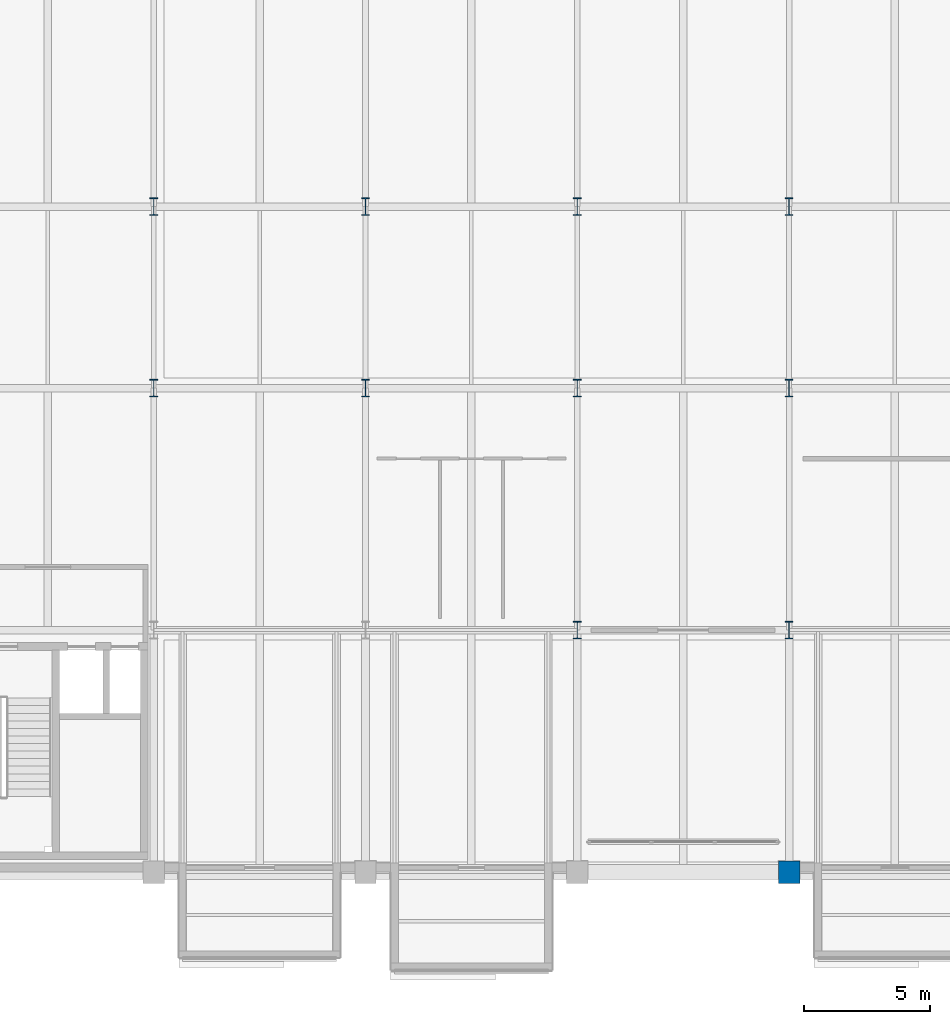
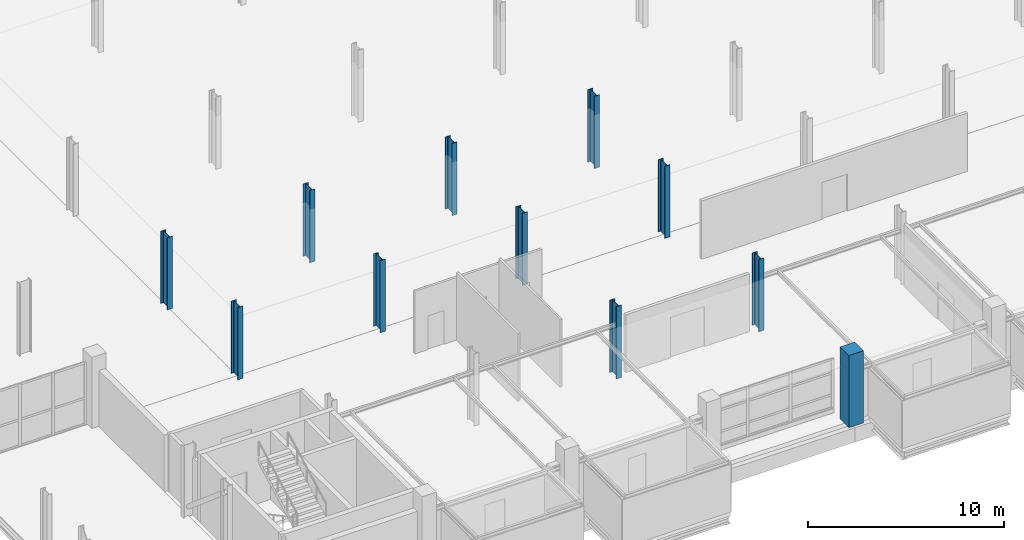
# One storey, part 2 of 113: 11 columns.
"""IFC4 building model written with IfcOpenShell, lengths in metres."""

import ifcopenshell
import ifcopenshell.guid

model = None  # the IFC model being written
_history = None  # IfcOwnerHistory: only IFC2X3 demands one
_inside = {}  # id of a spatial element -> (the spatial element, [elements in it])
_under = {}  # id of a project, library or spatial element -> (it, [spatial elements below it])
_declared = {}  # id of a project -> (the project, [libraries it declares])
_typed = {}  # id of a type object -> (the type object, [elements of that type])
_made_of = {}  # id of a material, layer set ... -> (it, [elements and type objects made of it])


def new_model(schema):
    """Start an empty IFC model of exactly this schema.

    Asked for "IFC4X3", IfcOpenShell would pick the latest addendum, in which some entities
    have other attributes; the version numbers below select the first issue.
    IFC2X3 requires an IfcOwnerHistory on every rooted entity: one is made here for all.
    """
    global model, _history
    if schema == "IFC4X3":
        model = ifcopenshell.file(schema_version=(4, 3, 0, 0))
    else:
        model = ifcopenshell.file(schema=schema)
    _inside.clear()
    _under.clear()
    _declared.clear()
    _typed.clear()
    _made_of.clear()
    _history = None
    if model.schema == "IFC2X3":
        org = make("IfcOrganization", Name="unknown")
        user = make(
            "IfcPersonAndOrganization",
            ThePerson=make("IfcPerson", FamilyName="unknown"),
            TheOrganization=org,
        )
        app = make(
            "IfcApplication",
            ApplicationDeveloper=org,
            Version="unknown",
            ApplicationFullName="unknown",
            ApplicationIdentifier="unknown",
        )
        _history = make(
            "IfcOwnerHistory",
            OwningUser=user,
            OwningApplication=app,
            ChangeAction="ADDED",
            CreationDate=0,
        )
    return model


def make(cls, **values):
    """One entity of the class cls with the attributes given. An attribute that is None is left unset."""
    return model.create_entity(
        cls, **{name: value for name, value in values.items() if value is not None}
    )


def rooted(cls, **values):
    """An entity with a GlobalId (a new one), such as an element, a storey or a relation."""
    return make(cls, GlobalId=ifcopenshell.guid.new(), OwnerHistory=_history, **values)


def si_unit(unit_type, name, prefix=None):
    """IfcSIUnit, for example si_unit("LENGTHUNIT", "METRE", prefix="MILLI")."""
    return make("IfcSIUnit", UnitType=unit_type, Prefix=prefix, Name=name)


def assignment(units):
    """IfcUnitAssignment: the units of a project."""
    return None if units is None else make("IfcUnitAssignment", Units=units)


def point(xyz):
    """IfcCartesianPoint."""
    return None if xyz is None else make("IfcCartesianPoint", Coordinates=xyz)


def direction(xyz):
    """IfcDirection."""
    return None if xyz is None else make("IfcDirection", DirectionRatios=xyz)


def frame(location, z_axis=None, x_axis=None):
    """IfcAxis2Placement3D, a coordinate frame: its origin and axes. An axis left out is left unset."""
    return make(
        "IfcAxis2Placement3D",
        Location=point(location),
        Axis=direction(z_axis),
        RefDirection=direction(x_axis),
    )


def frame_2d(location, x_axis=None):
    """IfcAxis2Placement2D, a coordinate frame in the plane: its origin and x axis."""
    return make(
        "IfcAxis2Placement2D", Location=point(location), RefDirection=direction(x_axis)
    )


def origin():
    """The frame at (0, 0, 0) with its axes left unset."""
    return frame((0.0, 0.0, 0.0))


def origin_2d():
    """The frame at (0, 0) in the plane with its x axis left unset."""
    return frame_2d((0.0, 0.0))


def place(relative_to, where):
    """IfcLocalPlacement: puts the frame where relative to a parent placement (None: the world)."""
    return make(
        "IfcLocalPlacement", PlacementRelTo=relative_to, RelativePlacement=where
    )


def context(
    kind, dimensions, precision=None, world=None, true_north=None, identifier=None
):
    """IfcGeometricRepresentationContext, for example the 3D "Model" context."""
    return make(
        "IfcGeometricRepresentationContext",
        ContextIdentifier=identifier,
        ContextType=kind,
        CoordinateSpaceDimension=dimensions,
        Precision=precision,
        WorldCoordinateSystem=world,
        TrueNorth=true_north,
    )


def subcontext(parent, identifier, kind, view, scale=None):
    """IfcGeometricRepresentationSubContext, for example "Body" below "Model"."""
    return make(
        "IfcGeometricRepresentationSubContext",
        ContextIdentifier=identifier,
        ContextType=kind,
        ParentContext=parent,
        TargetScale=scale,
        TargetView=view,
    )


def project(units=None, contexts=None):
    """IfcProject with its units and contexts."""
    return rooted(
        "IfcProject",
        Name="project",
        RepresentationContexts=contexts,
        UnitsInContext=assignment(units),
    )


def spatial(cls, under=None, at=None, **own):
    """A site, building, storey or space (cls), placed at a placement, below another one or the project."""
    s = rooted(cls, ObjectPlacement=at, **own)
    if under is not None:
        _under.setdefault(under.id(), (under, []))[1].append(s)
    return s


def profile(cls, at=None, kind="AREA", **sizes):
    """A parametric profile (cls). Its sizes go by their IFC names, for example OverallWidth=200.0."""
    return make(cls, ProfileType=kind, Position=at, **sizes)


def rectangle(**sizes):
    """IfcRectangleProfileDef."""
    return profile("IfcRectangleProfileDef", **sizes)


def i_section(**sizes):
    """IfcIShapeProfileDef."""
    return profile("IfcIShapeProfileDef", **sizes)


def extrude(swept, where, along, depth):
    """IfcExtrudedAreaSolid: the profile swept, set in the frame where, extruded along a direction by depth."""
    return make(
        "IfcExtrudedAreaSolid",
        SweptArea=swept,
        Position=where,
        ExtrudedDirection=direction(along),
        Depth=depth,
    )


def shape(context_of_items, identifier, shape_type, items):
    """IfcShapeRepresentation: the items that make up one representation, for example the "Body"."""
    return make(
        "IfcShapeRepresentation",
        ContextOfItems=context_of_items,
        RepresentationIdentifier=identifier,
        RepresentationType=shape_type,
        Items=items,
    )


def material(Name=None, Category=None):
    """IfcMaterial."""
    return make("IfcMaterial", Name=Name, Category=Category)


def material_profile(
    of_material, cross_section, Name=None, Category=None, Priority=None
):
    """IfcMaterialProfile: a cross section and its material."""
    return make(
        "IfcMaterialProfile",
        Name=Name,
        Material=of_material,
        Profile=cross_section,
        Priority=Priority,
        Category=Category,
    )


def profile_set(profiles, Name=None, composite=None):
    """IfcMaterialProfileSet."""
    return make(
        "IfcMaterialProfileSet",
        Name=Name,
        MaterialProfiles=profiles,
        CompositeProfile=composite,
    )


def made_of(thing, what):
    """Note that an element or type object is made of a material, layer set ...; save() writes the relation."""
    if what is not None:
        _made_of.setdefault(what.id(), (what, []))[1].append(thing)
    return thing


def type_object(cls, material=None, **own):
    """A type object (cls), such as IfcWallType, which elements share."""
    return made_of(rooted(cls, **own), material)


def element(
    cls,
    number,
    at=None,
    inside=None,
    cuts=None,
    type_object=None,
    material=None,
    context=None,
    identifier="Body",
    shape_type=None,
    held_by="IfcProductDefinitionShape",
    body=None,
    shapes=None,
    **own,
):
    """One element of the class cls, such as IfcWall. Its Tag is "e" and its number.

    at: its placement. inside: the storey or other place that contains it. cuts: it is an
    opening in that element (IfcRelVoidsElement). A single representation is given by context,
    identifier, shape_type and body (its items); several are given by shapes. held_by: the class
    of the entity that holds the representations. save() writes the other relations.
    """
    e = rooted(cls, Tag="e%d" % number, ObjectPlacement=at, **own)
    if body is not None:
        shapes = [shape(context, identifier, shape_type, body)]
    if shapes is not None:
        e.Representation = make(held_by, Representations=shapes)
    if inside is not None:
        _inside.setdefault(inside.id(), (inside, []))[1].append(e)
    if cuts is not None:
        rooted(
            "IfcRelVoidsElement", RelatingBuildingElement=cuts, RelatedOpeningElement=e
        )
    if type_object is not None:
        _typed.setdefault(type_object.id(), (type_object, []))[1].append(e)
    return made_of(e, material)


def aggregate(whole, parts):
    """IfcRelAggregates: a whole, such as a stair, and the parts it consists of."""
    return rooted("IfcRelAggregates", RelatingObject=whole, RelatedObjects=parts)


def save(model, path):
    """Write the relations noted so far, then the file.

    IfcRelAggregates (storeys below a building ...), IfcRelContainedInSpatialStructure (elements
    in a storey), IfcRelDefinesByType, IfcRelAssociatesMaterial and IfcRelDeclares: one each for
    every whole, place, type object, material and project.
    """
    for whole, parts in _under.values():
        aggregate(whole, parts)
    for where, things in _inside.values():
        rooted(
            "IfcRelContainedInSpatialStructure",
            RelatedElements=things,
            RelatingStructure=where,
        )
    for kind, things in _typed.values():
        rooted("IfcRelDefinesByType", RelatedObjects=things, RelatingType=kind)
    for what, things in _made_of.values():
        rooted("IfcRelAssociatesMaterial", RelatedObjects=things, RelatingMaterial=what)
    for by, libraries in _declared.values():
        rooted("IfcRelDeclares", RelatingContext=by, RelatedDefinitions=libraries)
    model.write(path)


model = new_model("IFC4")

# Units and contexts
model_context = context("Model", 3, precision=1e-05, world=origin(), true_north=direction((0.0, 1.0)))
body_context = subcontext(model_context, "Body", "Model", "MODEL_VIEW")
ifc_project = project(units=[si_unit("LENGTHUNIT", "METRE"), si_unit("AREAUNIT", "SQUARE_METRE"), si_unit("VOLUMEUNIT", "CUBIC_METRE"), si_unit("PLANEANGLEUNIT", "RADIAN"), si_unit("MASSUNIT", "GRAM", prefix="KILO")], contexts=[model_context])

# Site, building, storey
site_placement = place(None, origin())
site = spatial("IfcSite", under=ifc_project, at=site_placement, CompositionType="ELEMENT")
building_placement = place(site_placement, origin())
building = spatial("IfcBuilding", under=site, at=building_placement, Name="Veltarok Museum of Natural Sciences", CompositionType="ELEMENT")
storey_placement = place(building_placement, frame((0.0, 0.0, 8.39990234375)))
storey = spatial("IfcBuildingStorey", under=building, at=storey_placement, Name="L01", CompositionType="ELEMENT", Elevation=8.39990234375)

# Columns
ifc_material_1 = material(Name="Concrete C40/50", Category="concrete")
ifc_material_profile_1 = material_profile(ifc_material_1, rectangle(XDim=0.85009765625, YDim=0.89990234375, at=origin_2d()), Name="RC 850x900")
ifc_profile_set_1 = profile_set([ifc_material_profile_1], Name="Concrete C40/50")
column_type_1 = type_object("IfcColumnType", Name="Exposed Cabinet Grid Column RC 850x900", PredefinedType="COLUMN", material=ifc_profile_set_1)
column_placement = place(storey_placement, frame((65.199951171875, 0.0, 0.0), z_axis=(0.0, 0.0, 1.0), x_axis=(1.0, 0.0, 0.0)))
element("IfcColumn", 1, at=column_placement, inside=storey, type_object=column_type_1, Name="Column COL-CAB01 L01 8/A", PredefinedType="COLUMN", context=body_context, shape_type="SweptSolid", body=[
    extrude(rectangle(XDim=0.85009765625, YDim=0.89990234375, at=origin_2d()), origin(), (0.0, 0.0, 1.0), 4.5),
])
ifc_material_2 = material(Name="Steel S355J2", Category="steel")
ifc_material_profile_2 = material_profile(ifc_material_2, i_section(OverallWidth=0.300048828125, OverallDepth=0.699951171875, WebThickness=0.01708984375, FlangeThickness=0.031982421875, FilletRadius=0.027099609375, at=origin_2d()), Name="HEB 700")
ifc_profile_set_2 = profile_set([ifc_material_profile_2], Name="Steel S355J2")
column_type_2 = type_object("IfcColumnType", Name="Mid-Rise Frame Column HEB 700", PredefinedType="COLUMN", material=ifc_profile_set_2)
for number, where, z_axis, x_axis, name in (
    (2, (40.0, 19.199951171875, 0.0), (0.0, 0.0, 1.0), (1.0, 0.0, 0.0), "Column COL-S03 L01 5/C"),
    (3, (40.0, 26.39990234375, 0.0), (0.0, 0.0, 1.0), (1.0, 0.0, 0.0), "Column COL-S03 L01 5/D"),
    (4, (48.39990234375, 19.199951171875, 0.0), (0.0, 0.0, 1.0), (1.0, 0.0, 0.0), "Column COL-S03 L01 6/C"),
    (5, (48.39990234375, 26.39990234375, 0.0), (0.0, 0.0, 1.0), (1.0, 0.0, 0.0), "Column COL-S03 L01 6/D"),
    (6, (56.800048828125, 9.60009765625, 0.0), (0.0, 0.0, 1.0), (1.0, 0.0, 0.0), "Column COL-S03 L01 7/B"),
    (7, (56.800048828125, 19.199951171875, 0.0), (0.0, 0.0, 1.0), (1.0, 0.0, 0.0), "Column COL-S03 L01 7/C"),
    (8, (56.800048828125, 26.39990234375, 0.0), (0.0, 0.0, 1.0), (1.0, 0.0, 0.0), "Column COL-S03 L01 7/D"),
    (9, (65.199951171875, 9.60009765625, 0.0), (0.0, 0.0, 1.0), (1.0, 0.0, 0.0), "Column COL-S03 L01 8/B"),
    (10, (65.199951171875, 19.199951171875, 0.0), (0.0, 0.0, 1.0), (1.0, 0.0, 0.0), "Column COL-S03 L01 8/C"),
    (11, (65.199951171875, 26.39990234375, 0.0), (0.0, 0.0, 1.0), (1.0, 0.0, 0.0), "Column COL-S03 L01 8/D"),
):
    element("IfcColumn", number, at=place(storey_placement, frame(where, z_axis=z_axis, x_axis=x_axis)), inside=storey, type_object=column_type_2, Name=name, PredefinedType="COLUMN", context=body_context, shape_type="SweptSolid", body=[
        extrude(i_section(OverallWidth=0.300048828125, OverallDepth=0.699951171875, WebThickness=0.01708984375, FlangeThickness=0.031982421875, FilletRadius=0.027099609375, at=origin_2d()), origin(), (0.0, 0.0, 1.0), 4.5),
    ])

save(model, "model.ifc")
